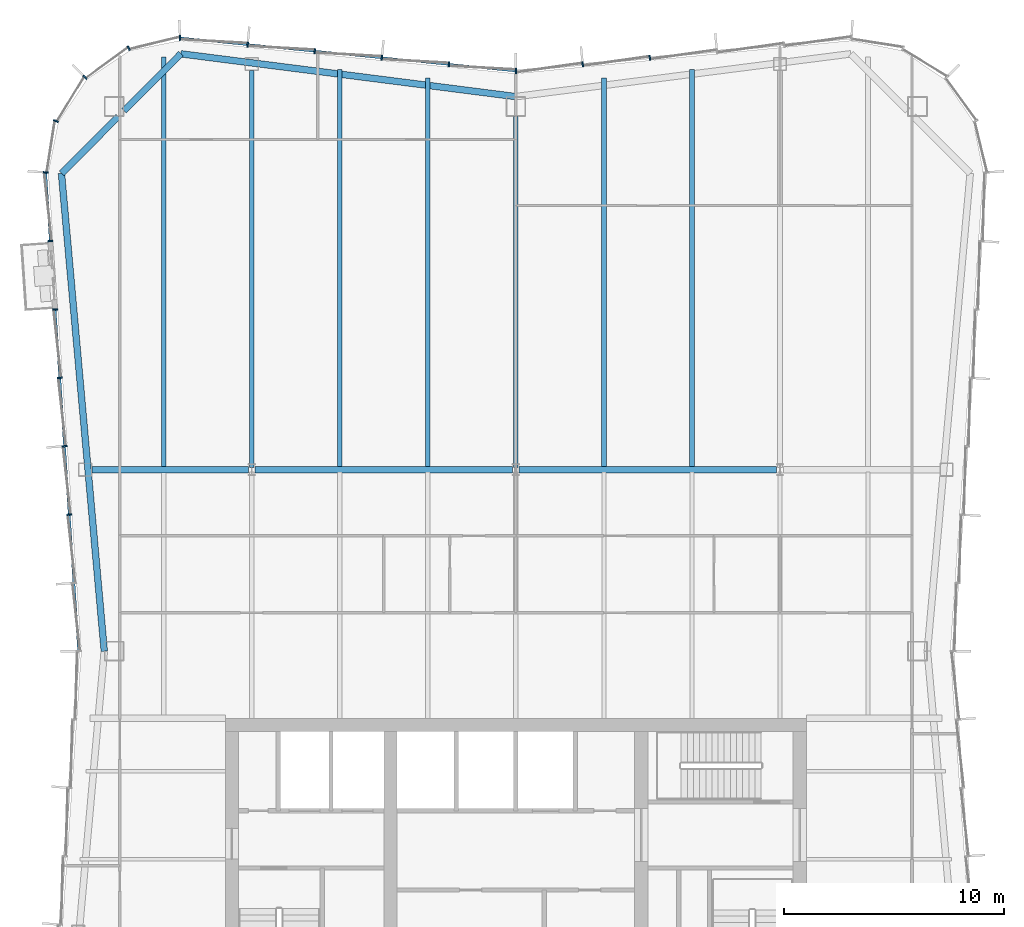
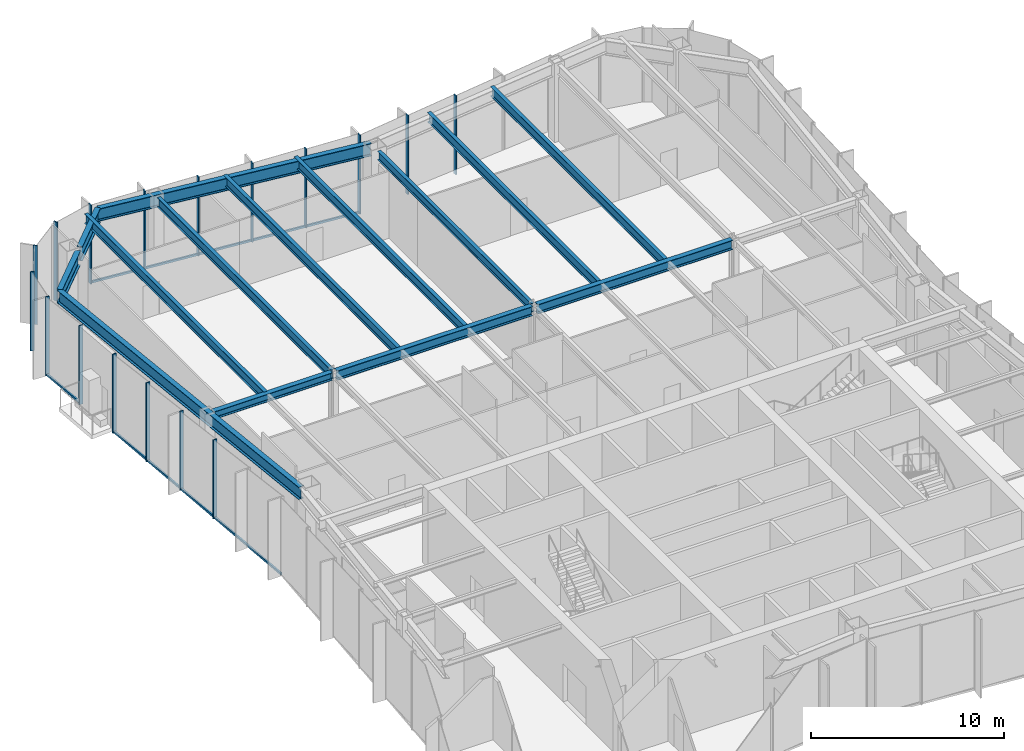
# One storey, part 6 of 14: 20 members, 14 beams, 3 elements without a shape of their own.
"""IFC4 building model written with IfcOpenShell, lengths in metres."""

import ifcopenshell
import ifcopenshell.guid

model = None  # the IFC model being written
_history = None  # IfcOwnerHistory: only IFC2X3 demands one
_inside = {}  # id of a spatial element -> (the spatial element, [elements in it])
_under = {}  # id of a project, library or spatial element -> (it, [spatial elements below it])
_declared = {}  # id of a project -> (the project, [libraries it declares])
_typed = {}  # id of a type object -> (the type object, [elements of that type])
_made_of = {}  # id of a material, layer set ... -> (it, [elements and type objects made of it])


def new_model(schema):
    """Start an empty IFC model of exactly this schema.

    Asked for "IFC4X3", IfcOpenShell would pick the latest addendum, in which some entities
    have other attributes; the version numbers below select the first issue.
    IFC2X3 requires an IfcOwnerHistory on every rooted entity: one is made here for all.
    """
    global model, _history
    if schema == "IFC4X3":
        model = ifcopenshell.file(schema_version=(4, 3, 0, 0))
    else:
        model = ifcopenshell.file(schema=schema)
    _inside.clear()
    _under.clear()
    _declared.clear()
    _typed.clear()
    _made_of.clear()
    _history = None
    if model.schema == "IFC2X3":
        org = make("IfcOrganization", Name="unknown")
        user = make(
            "IfcPersonAndOrganization",
            ThePerson=make("IfcPerson", FamilyName="unknown"),
            TheOrganization=org,
        )
        app = make(
            "IfcApplication",
            ApplicationDeveloper=org,
            Version="unknown",
            ApplicationFullName="unknown",
            ApplicationIdentifier="unknown",
        )
        _history = make(
            "IfcOwnerHistory",
            OwningUser=user,
            OwningApplication=app,
            ChangeAction="ADDED",
            CreationDate=0,
        )
    return model


def make(cls, **values):
    """One entity of the class cls with the attributes given. An attribute that is None is left unset."""
    return model.create_entity(
        cls, **{name: value for name, value in values.items() if value is not None}
    )


def rooted(cls, **values):
    """An entity with a GlobalId (a new one), such as an element, a storey or a relation."""
    return make(cls, GlobalId=ifcopenshell.guid.new(), OwnerHistory=_history, **values)


def si_unit(unit_type, name, prefix=None):
    """IfcSIUnit, for example si_unit("LENGTHUNIT", "METRE", prefix="MILLI")."""
    return make("IfcSIUnit", UnitType=unit_type, Prefix=prefix, Name=name)


def assignment(units):
    """IfcUnitAssignment: the units of a project."""
    return None if units is None else make("IfcUnitAssignment", Units=units)


def point(xyz):
    """IfcCartesianPoint."""
    return None if xyz is None else make("IfcCartesianPoint", Coordinates=xyz)


def direction(xyz):
    """IfcDirection."""
    return None if xyz is None else make("IfcDirection", DirectionRatios=xyz)


def frame(location, z_axis=None, x_axis=None):
    """IfcAxis2Placement3D, a coordinate frame: its origin and axes. An axis left out is left unset."""
    return make(
        "IfcAxis2Placement3D",
        Location=point(location),
        Axis=direction(z_axis),
        RefDirection=direction(x_axis),
    )


def frame_2d(location, x_axis=None):
    """IfcAxis2Placement2D, a coordinate frame in the plane: its origin and x axis."""
    return make(
        "IfcAxis2Placement2D", Location=point(location), RefDirection=direction(x_axis)
    )


def origin():
    """The frame at (0, 0, 0) with its axes left unset."""
    return frame((0.0, 0.0, 0.0))


def origin_2d():
    """The frame at (0, 0) in the plane with its x axis left unset."""
    return frame_2d((0.0, 0.0))


def place(relative_to, where):
    """IfcLocalPlacement: puts the frame where relative to a parent placement (None: the world)."""
    return make(
        "IfcLocalPlacement", PlacementRelTo=relative_to, RelativePlacement=where
    )


def context(
    kind, dimensions, precision=None, world=None, true_north=None, identifier=None
):
    """IfcGeometricRepresentationContext, for example the 3D "Model" context."""
    return make(
        "IfcGeometricRepresentationContext",
        ContextIdentifier=identifier,
        ContextType=kind,
        CoordinateSpaceDimension=dimensions,
        Precision=precision,
        WorldCoordinateSystem=world,
        TrueNorth=true_north,
    )


def subcontext(parent, identifier, kind, view, scale=None):
    """IfcGeometricRepresentationSubContext, for example "Body" below "Model"."""
    return make(
        "IfcGeometricRepresentationSubContext",
        ContextIdentifier=identifier,
        ContextType=kind,
        ParentContext=parent,
        TargetScale=scale,
        TargetView=view,
    )


def project(units=None, contexts=None):
    """IfcProject with its units and contexts."""
    return rooted(
        "IfcProject",
        Name="project",
        RepresentationContexts=contexts,
        UnitsInContext=assignment(units),
    )


def spatial(cls, under=None, at=None, **own):
    """A site, building, storey or space (cls), placed at a placement, below another one or the project."""
    s = rooted(cls, ObjectPlacement=at, **own)
    if under is not None:
        _under.setdefault(under.id(), (under, []))[1].append(s)
    return s


def profile(cls, at=None, kind="AREA", **sizes):
    """A parametric profile (cls). Its sizes go by their IFC names, for example OverallWidth=200.0."""
    return make(cls, ProfileType=kind, Position=at, **sizes)


def rectangle(**sizes):
    """IfcRectangleProfileDef."""
    return profile("IfcRectangleProfileDef", **sizes)


def i_section(**sizes):
    """IfcIShapeProfileDef."""
    return profile("IfcIShapeProfileDef", **sizes)


def extrude(swept, where, along, depth):
    """IfcExtrudedAreaSolid: the profile swept, set in the frame where, extruded along a direction by depth."""
    return make(
        "IfcExtrudedAreaSolid",
        SweptArea=swept,
        Position=where,
        ExtrudedDirection=direction(along),
        Depth=depth,
    )


def shape(context_of_items, identifier, shape_type, items):
    """IfcShapeRepresentation: the items that make up one representation, for example the "Body"."""
    return make(
        "IfcShapeRepresentation",
        ContextOfItems=context_of_items,
        RepresentationIdentifier=identifier,
        RepresentationType=shape_type,
        Items=items,
    )


def material(Name=None, Category=None):
    """IfcMaterial."""
    return make("IfcMaterial", Name=Name, Category=Category)


def material_profile(
    of_material, cross_section, Name=None, Category=None, Priority=None
):
    """IfcMaterialProfile: a cross section and its material."""
    return make(
        "IfcMaterialProfile",
        Name=Name,
        Material=of_material,
        Profile=cross_section,
        Priority=Priority,
        Category=Category,
    )


def profile_set(profiles, Name=None, composite=None):
    """IfcMaterialProfileSet."""
    return make(
        "IfcMaterialProfileSet",
        Name=Name,
        MaterialProfiles=profiles,
        CompositeProfile=composite,
    )


def made_of(thing, what):
    """Note that an element or type object is made of a material, layer set ...; save() writes the relation."""
    if what is not None:
        _made_of.setdefault(what.id(), (what, []))[1].append(thing)
    return thing


def type_object(cls, material=None, **own):
    """A type object (cls), such as IfcWallType, which elements share."""
    return made_of(rooted(cls, **own), material)


def element(
    cls,
    number,
    at=None,
    inside=None,
    cuts=None,
    type_object=None,
    material=None,
    context=None,
    identifier="Body",
    shape_type=None,
    held_by="IfcProductDefinitionShape",
    body=None,
    shapes=None,
    **own,
):
    """One element of the class cls, such as IfcWall. Its Tag is "e" and its number.

    at: its placement. inside: the storey or other place that contains it. cuts: it is an
    opening in that element (IfcRelVoidsElement). A single representation is given by context,
    identifier, shape_type and body (its items); several are given by shapes. held_by: the class
    of the entity that holds the representations. save() writes the other relations.
    """
    e = rooted(cls, Tag="e%d" % number, ObjectPlacement=at, **own)
    if body is not None:
        shapes = [shape(context, identifier, shape_type, body)]
    if shapes is not None:
        e.Representation = make(held_by, Representations=shapes)
    if inside is not None:
        _inside.setdefault(inside.id(), (inside, []))[1].append(e)
    if cuts is not None:
        rooted(
            "IfcRelVoidsElement", RelatingBuildingElement=cuts, RelatedOpeningElement=e
        )
    if type_object is not None:
        _typed.setdefault(type_object.id(), (type_object, []))[1].append(e)
    return made_of(e, material)


def aggregate(whole, parts):
    """IfcRelAggregates: a whole, such as a stair, and the parts it consists of."""
    return rooted("IfcRelAggregates", RelatingObject=whole, RelatedObjects=parts)


def save(model, path):
    """Write the relations noted so far, then the file.

    IfcRelAggregates (storeys below a building ...), IfcRelContainedInSpatialStructure (elements
    in a storey), IfcRelDefinesByType, IfcRelAssociatesMaterial and IfcRelDeclares: one each for
    every whole, place, type object, material and project.
    """
    for whole, parts in _under.values():
        aggregate(whole, parts)
    for where, things in _inside.values():
        rooted(
            "IfcRelContainedInSpatialStructure",
            RelatedElements=things,
            RelatingStructure=where,
        )
    for kind, things in _typed.values():
        rooted("IfcRelDefinesByType", RelatedObjects=things, RelatingType=kind)
    for what, things in _made_of.values():
        rooted("IfcRelAssociatesMaterial", RelatedObjects=things, RelatingMaterial=what)
    for by, libraries in _declared.values():
        rooted("IfcRelDeclares", RelatingContext=by, RelatedDefinitions=libraries)
    model.write(path)


model = new_model("IFC4")

# Units and contexts
model_context = context("Model", 3, precision=1e-05, world=origin(), true_north=direction((0.0, 1.0)))
body_context = subcontext(model_context, "Body", "Model", "MODEL_VIEW")
ifc_project = project(units=[si_unit("LENGTHUNIT", "METRE"), si_unit("AREAUNIT", "SQUARE_METRE"), si_unit("VOLUMEUNIT", "CUBIC_METRE"), si_unit("PLANEANGLEUNIT", "RADIAN"), si_unit("MASSUNIT", "GRAM", prefix="KILO")], contexts=[model_context])

# Site, building, storey
site_placement = place(None, origin())
site = spatial("IfcSite", under=ifc_project, at=site_placement, CompositionType="ELEMENT")
building_placement = place(site_placement, origin())
building = spatial("IfcBuilding", under=site, at=building_placement, Name="Verdant Reach Tower", CompositionType="ELEMENT")
storey_placement = place(building_placement, frame((0.0, 0.0, 289.0)))
storey = spatial("IfcBuildingStorey", under=building, at=storey_placement, Name="L66", CompositionType="ELEMENT", Elevation=289.0)

# Curtain wall, members
ifc_material_1 = material(Name="Anodised aluminium", Category="aluminium")
curtain_wall_type = type_object("IfcCurtainWallType", Name="EN-CW SYSTEM Z5", PredefinedType="NOTDEFINED", material=ifc_material_1)
curtain_wall_1_placement = place(storey_placement, origin())
curtain_wall_1 = element("IfcCurtainWall", 1, at=curtain_wall_1_placement, inside=storey, type_object=curtain_wall_type, Name="Curtain wall north, L66", PredefinedType="NOTDEFINED")
ifc_material_profile_1 = material_profile(ifc_material_1, rectangle(XDim=0.22998046875, YDim=0.070068359375, at=origin_2d()), Name="Mullion 70x230")
ifc_profile_set_1 = profile_set([ifc_material_profile_1], Name="Anodised aluminium")
member_type_1 = type_object("IfcMemberType", Name="EN-MULLION Z5", PredefinedType="MULLION", material=ifc_profile_set_1)
member_1_placement = place(storey_placement, frame((6.088623046875, 68.21435546875, -0.35009765625), z_axis=(0.0, 0.0, 1.0), x_axis=(-0.09788826992, 0.995197410875, 0.0)))
member_1 = element("IfcMember", 2, at=member_1_placement, type_object=member_type_1, Name="Mullion north face part 1 4, L66", PredefinedType="MULLION", context=body_context, shape_type="SweptSolid", body=[
    extrude(rectangle(XDim=0.22998046875, YDim=0.070068359375, at=origin_2d()), origin(), (0.0, 0.0, 1.0), 5.0),
])
member_2_placement = place(storey_placement, frame((3.038818359375, 67.91455078125, -0.35009765625), z_axis=(0.0, 0.0, 1.0), x_axis=(-0.09788826992, 0.995197410875, 0.0)))
member_2 = element("IfcMember", 3, at=member_2_placement, type_object=member_type_1, Name="Mullion north face part 1 5, L66", PredefinedType="MULLION", context=body_context, shape_type="SweptSolid", body=[
    extrude(rectangle(XDim=0.22998046875, YDim=0.070068359375, at=origin_2d()), origin(), (0.0, 0.0, 1.0), 5.0),
])
member_3_placement = place(storey_placement, frame((0.0, 67.614990234375, -0.35009765625), z_axis=(0.0, 0.0, 1.0), x_axis=(0.0, 1.0, 0.0)))
member_3 = element("IfcMember", 4, at=member_3_placement, type_object=member_type_1, Name="Mullion north face part 2 1, L66", PredefinedType="MULLION", context=body_context, shape_type="SweptSolid", body=[
    extrude(rectangle(XDim=0.22998046875, YDim=0.070068359375, at=origin_2d()), origin(), (0.0, 0.0, 1.0), 5.0),
])
member_4_placement = place(storey_placement, frame((-3.038818359375, 67.91455078125, -0.35009765625), z_axis=(0.0, 0.0, 1.0), x_axis=(0.09788826992, 0.995197410875, 0.0)))
member_4 = element("IfcMember", 5, at=member_4_placement, type_object=member_type_1, Name="Mullion north face part 2 2, L66", PredefinedType="MULLION", context=body_context, shape_type="SweptSolid", body=[
    extrude(rectangle(XDim=0.22998046875, YDim=0.070068359375, at=origin_2d()), origin(), (0.0, 0.0, 1.0), 5.0),
])
member_5_placement = place(storey_placement, frame((-6.088623046875, 68.21435546875, -0.35009765625), z_axis=(0.0, 0.0, 1.0), x_axis=(0.09788826992, 0.995197410875, 0.0)))
member_5 = element("IfcMember", 6, at=member_5_placement, type_object=member_type_1, Name="Mullion north face part 2 3, L66", PredefinedType="MULLION", context=body_context, shape_type="SweptSolid", body=[
    extrude(rectangle(XDim=0.22998046875, YDim=0.070068359375, at=origin_2d()), origin(), (0.0, 0.0, 1.0), 5.0),
])
member_6_placement = place(storey_placement, frame((-9.138671875, 68.514404296875, -0.35009765625), z_axis=(0.0, 0.0, 1.0), x_axis=(0.09788826992, 0.995197410875, 0.0)))
member_6 = element("IfcMember", 7, at=member_6_placement, type_object=member_type_1, Name="Mullion north face part 2 4, L66", PredefinedType="MULLION", context=body_context, shape_type="SweptSolid", body=[
    extrude(rectangle(XDim=0.22998046875, YDim=0.070068359375, at=origin_2d()), origin(), (0.0, 0.0, 1.0), 5.0),
])
member_7_placement = place(storey_placement, frame((-12.188720703125, 68.814453125, -0.35009765625), z_axis=(0.0, 0.0, 1.0), x_axis=(0.09788826992, 0.995197410875, 0.0)))
member_7 = element("IfcMember", 8, at=member_7_placement, type_object=member_type_1, Name="Mullion north face part 2 5, L66", PredefinedType="MULLION", context=body_context, shape_type="SweptSolid", body=[
    extrude(rectangle(XDim=0.22998046875, YDim=0.070068359375, at=origin_2d()), origin(), (0.0, 0.0, 1.0), 5.0),
])

curtain_wall_2_placement = place(storey_placement, origin())
curtain_wall_2 = element("IfcCurtainWall", 9, at=curtain_wall_2_placement, inside=storey, type_object=curtain_wall_type, Name="Curtain wall north-west corner, L66", PredefinedType="NOTDEFINED")
member_8_placement = place(storey_placement, frame((-15.255615234375, 69.11474609375, -0.35009765625), z_axis=(0.0, 0.0, 1.0), x_axis=(-0.049127596288, 0.998792510626, 0.0)))
member_8 = element("IfcMember", 10, at=member_8_placement, type_object=member_type_1, Name="Mullion north-west corner 1, L66", PredefinedType="MULLION", context=body_context, shape_type="SweptSolid", body=[
    extrude(rectangle(XDim=0.22998046875, YDim=0.070068359375, at=origin_2d()), origin(), (0.0, 0.0, 1.0), 5.0),
])
member_9_placement = place(storey_placement, frame((-17.590087890625, 68.649658203125, -0.35009765625), z_axis=(0.0, 0.0, 1.0), x_axis=(-0.382693853776, 0.923875215753, 0.0)))
member_9 = element("IfcMember", 11, at=member_9_placement, type_object=member_type_1, Name="Mullion north-west corner 2, L66", PredefinedType="MULLION", context=body_context, shape_type="SweptSolid", body=[
    extrude(rectangle(XDim=0.22998046875, YDim=0.070068359375, at=origin_2d()), origin(), (0.0, 0.0, 1.0), 5.0),
])
member_10_placement = place(storey_placement, frame((-19.573974609375, 67.323974609375, -0.35009765625), z_axis=(0.0, 0.0, 1.0), x_axis=(-0.707106781187, 0.707106781187, 0.0)))
member_10 = element("IfcMember", 12, at=member_10_placement, type_object=member_type_1, Name="Mullion north-west corner 3, L66", PredefinedType="MULLION", context=body_context, shape_type="SweptSolid", body=[
    extrude(rectangle(XDim=0.22998046875, YDim=0.070068359375, at=origin_2d()), origin(), (0.0, 0.0, 1.0), 5.0),
])
member_11_placement = place(storey_placement, frame((-20.899658203125, 65.340087890625, -0.35009765625), z_axis=(0.0, 0.0, 1.0), x_axis=(-0.923875215753, 0.382693853776, 0.0)))
member_11 = element("IfcMember", 13, at=member_11_placement, type_object=member_type_1, Name="Mullion north-west corner 4, L66", PredefinedType="MULLION", context=body_context, shape_type="SweptSolid", body=[
    extrude(rectangle(XDim=0.22998046875, YDim=0.070068359375, at=origin_2d()), origin(), (0.0, 0.0, 1.0), 5.0),
])
aggregate(curtain_wall_2, [member_8, member_9, member_10, member_11])

curtain_wall_3_placement = place(storey_placement, origin())
curtain_wall_3 = element("IfcCurtainWall", 14, at=curtain_wall_3_placement, inside=storey, type_object=curtain_wall_type, Name="Curtain wall west, L66", PredefinedType="NOTDEFINED")
member_12_placement = place(storey_placement, frame((-21.36474609375, 63.00732421875, -0.35009765625), z_axis=(0.0, 0.0, 1.0), x_axis=(-0.997969180898, 0.063698618332, 0.0)))
member_12 = element("IfcMember", 15, at=member_12_placement, type_object=member_type_1, Name="Mullion west face part 1 1, L66", PredefinedType="MULLION", context=body_context, shape_type="SweptSolid", body=[
    extrude(rectangle(XDim=0.22998046875, YDim=0.070068359375, at=origin_2d()), origin(), (0.0, 0.0, 1.0), 5.0),
])
member_13_placement = place(storey_placement, frame((-21.150390625, 59.885009765625, -0.35009765625), z_axis=(0.0, 0.0, 1.0), x_axis=(-0.997630328423, -0.068802091615, 0.0)))
member_13 = element("IfcMember", 16, at=member_13_placement, type_object=member_type_1, Name="Mullion west face part 1 2, L66", PredefinedType="MULLION", context=body_context, shape_type="SweptSolid", body=[
    extrude(rectangle(XDim=0.22998046875, YDim=0.070068359375, at=origin_2d()), origin(), (0.0, 0.0, 1.0), 5.0),
])
member_14_placement = place(storey_placement, frame((-20.93603515625, 56.77783203125, -0.35009765625), z_axis=(0.0, 0.0, 1.0), x_axis=(-0.997630328423, -0.068802091615, 0.0)))
member_14 = element("IfcMember", 17, at=member_14_placement, type_object=member_type_1, Name="Mullion west face part 1 3, L66", PredefinedType="MULLION", context=body_context, shape_type="SweptSolid", body=[
    extrude(rectangle(XDim=0.22998046875, YDim=0.070068359375, at=origin_2d()), origin(), (0.0, 0.0, 1.0), 5.0),
])
member_15_placement = place(storey_placement, frame((-20.721923828125, 53.670654296875, -0.35009765625), z_axis=(0.0, 0.0, 1.0), x_axis=(-0.997630328423, -0.068802091615, 0.0)))
member_15 = element("IfcMember", 18, at=member_15_placement, type_object=member_type_1, Name="Mullion west face part 1 4, L66", PredefinedType="MULLION", context=body_context, shape_type="SweptSolid", body=[
    extrude(rectangle(XDim=0.22998046875, YDim=0.070068359375, at=origin_2d()), origin(), (0.0, 0.0, 1.0), 5.0),
])
member_16_placement = place(storey_placement, frame((-20.507568359375, 50.5634765625, -0.35009765625), z_axis=(0.0, 0.0, 1.0), x_axis=(-0.997630328423, -0.068802091615, 0.0)))
member_16 = element("IfcMember", 19, at=member_16_placement, type_object=member_type_1, Name="Mullion west face part 1 5, L66", PredefinedType="MULLION", context=body_context, shape_type="SweptSolid", body=[
    extrude(rectangle(XDim=0.22998046875, YDim=0.070068359375, at=origin_2d()), origin(), (0.0, 0.0, 1.0), 5.0),
])
member_17_placement = place(storey_placement, frame((-20.293212890625, 47.456298828125, -0.35009765625), z_axis=(0.0, 0.0, 1.0), x_axis=(-0.997630328423, -0.068802091615, 0.0)))
member_17 = element("IfcMember", 20, at=member_17_placement, type_object=member_type_1, Name="Mullion west face part 1 6, L66", PredefinedType="MULLION", context=body_context, shape_type="SweptSolid", body=[
    extrude(rectangle(XDim=0.22998046875, YDim=0.070068359375, at=origin_2d()), origin(), (0.0, 0.0, 1.0), 5.0),
])

# Member
ifc_material_profile_2 = material_profile(ifc_material_1, rectangle(XDim=0.10009765625, YDim=0.1298828125, at=origin_2d()), Name="Transom 130x100")
ifc_profile_set_2 = profile_set([ifc_material_profile_2], Name="Anodised aluminium")
member_type_2 = type_object("IfcMemberType", Name="EN-TRANSOM Z5", PredefinedType="USERDEFINED", material=ifc_profile_set_2)
member_18_placement = place(storey_placement, frame((-0.034912109375, 67.618408203125, -0.284912109375), z_axis=(-0.99520229006, 0.097838652171, 0.0), x_axis=(-0.097838652171, -0.99520229006, 0.0)))
member_18 = element("IfcMember", 21, at=member_18_placement, type_object=member_type_2, Name="Transom north face part 2 1.1, L66", ObjectType="TRANSOM", PredefinedType="USERDEFINED", context=body_context, shape_type="SweptSolid", body=[
    extrude(rectangle(XDim=0.10009765625, YDim=0.1298828125, at=origin_2d()), origin(), (0.0, 0.0, 1.0), 15.259033203125),
])

aggregate(curtain_wall_1, [member_1, member_2, member_3, member_4, member_5, member_6, member_7, member_18])

member_19_placement = place(storey_placement, frame((-21.3623046875, 62.972412109375, -0.284912109375), z_axis=(0.068462518223, -0.997653689212, 0.0), x_axis=(0.997653689212, 0.068462518223, 0.0)))
member_19 = element("IfcMember", 22, at=member_19_placement, type_object=member_type_2, Name="Transom west face part 1 1.1, L66", ObjectType="TRANSOM", PredefinedType="USERDEFINED", context=body_context, shape_type="SweptSolid", body=[
    extrude(rectangle(XDim=0.10009765625, YDim=0.1298828125, at=origin_2d()), origin(), (0.0, 0.0, 1.0), 3.0595703125),
])

member_20_placement = place(storey_placement, frame((-20.933837890625, 56.742919921875, -0.284912109375), z_axis=(0.068823721613, -0.997628836463, 0.0), x_axis=(0.997628836463, 0.068823721613, 0.0)))
member_20 = element("IfcMember", 23, at=member_20_placement, type_object=member_type_2, Name="Transom west face part 1 2.1, L66", ObjectType="TRANSOM", PredefinedType="USERDEFINED", context=body_context, shape_type="SweptSolid", body=[
    extrude(rectangle(XDim=0.10009765625, YDim=0.1298828125, at=origin_2d()), origin(), (0.0, 0.0, 1.0), 15.49462890625),
])

aggregate(curtain_wall_3, [member_12, member_13, member_14, member_15, member_16, member_17, member_19, member_20])

# Beams
ifc_material_2 = material(Name="Steel S355", Category="steel")
ifc_material_profile_3 = material_profile(ifc_material_2, i_section(OverallWidth=0.300048828125, OverallDepth=0.489990234375, WebThickness=0.011962890625, FlangeThickness=0.02294921875, FilletRadius=0.027099609375, at=origin_2d()), Name="HEA 500")
ifc_profile_set_3 = profile_set([ifc_material_profile_3], Name="Steel S355")
beam_type_1 = type_object("IfcBeamType", Name="ST-BEAM-HEA500", PredefinedType="BEAM", material=ifc_profile_set_3)
beam_1_placement = place(storey_placement, frame((-19.26904296875, 49.5, 4.625), z_axis=(1.0, 0.0, 0.0), x_axis=(0.0, 1.0, 0.0)))
element("IfcBeam", 24, at=beam_1_placement, inside=storey, type_object=beam_type_1, Name="Row girder, L66", PredefinedType="BEAM", context=body_context, shape_type="SweptSolid", body=[
    extrude(i_section(OverallWidth=0.300048828125, OverallDepth=0.489990234375, WebThickness=0.011962890625, FlangeThickness=0.02294921875, FilletRadius=0.027099609375, at=origin_2d()), origin(), (0.0, 0.0, 1.0), 7.115966796875),
])
ifc_material_profile_4 = material_profile(ifc_material_2, i_section(OverallWidth=0.300048828125, OverallDepth=0.60009765625, WebThickness=0.015380859375, FlangeThickness=0.030029296875, FilletRadius=0.027099609375, at=origin_2d()), Name="HEB 600")
ifc_profile_set_4 = profile_set([ifc_material_profile_4], Name="Steel S355")
beam_type_2 = type_object("IfcBeamType", Name="ST-BEAM-HEB600", PredefinedType="BEAM", material=ifc_profile_set_4)
for number, where, z_axis, x_axis, name in (
    (25, (-11.846923828125, 49.5, 4.570068359375), (1.0, 0.0, 0.0), (0.0, 1.0, 0.0), "Row girder, L66"),
    (26, (0.153076171875, 49.5, 4.570068359375), (1.0, 0.0, 0.0), (0.0, 1.0, 0.0), "Row girder, L66"),
):
    element("IfcBeam", number, at=place(storey_placement, frame(where, z_axis=z_axis, x_axis=x_axis)), inside=storey, type_object=beam_type_2, Name=name, PredefinedType="BEAM", context=body_context, shape_type="SweptSolid", body=[
        extrude(i_section(OverallWidth=0.300048828125, OverallDepth=0.60009765625, WebThickness=0.015380859375, FlangeThickness=0.030029296875, FilletRadius=0.027099609375, at=origin_2d()), origin(), (0.0, 0.0, 1.0), 11.69384765625),
    ])
ifc_material_profile_5 = material_profile(ifc_material_2, i_section(OverallWidth=0.2099609375, OverallDepth=0.550048828125, WebThickness=0.010986328125, FlangeThickness=0.01708984375, FilletRadius=0.02392578125, at=origin_2d()), Name="IPE 550")
ifc_profile_set_5 = profile_set([ifc_material_profile_5], Name="Steel S355")
beam_type_3 = type_object("IfcBeamType", Name="ST-JOIST-IPE550", PredefinedType="JOIST", material=ifc_profile_set_5)
beam_2_placement = place(storey_placement, frame((0.0, 49.60009765625, 4.594970703125), z_axis=(0.0, 1.0, 0.0), x_axis=(-1.0, 0.0, 0.0)))
element("IfcBeam", 27, at=beam_2_placement, inside=storey, type_object=beam_type_3, Name="Floor joist, L66", PredefinedType="JOIST", context=body_context, shape_type="SweptSolid", body=[
    extrude(i_section(OverallWidth=0.2099609375, OverallDepth=0.550048828125, WebThickness=0.010986328125, FlangeThickness=0.01708984375, FilletRadius=0.02392578125, at=origin_2d()), origin(), (0.0, 0.0, 1.0), 15.949951171875),
])
ifc_material_profile_6 = material_profile(ifc_material_2, i_section(OverallWidth=0.219970703125, OverallDepth=0.60009765625, WebThickness=0.011962890625, FlangeThickness=0.01904296875, FilletRadius=0.02392578125, at=origin_2d()), Name="IPE 600")
ifc_profile_set_6 = profile_set([ifc_material_profile_6], Name="Steel S355")
beam_type_4 = type_object("IfcBeamType", Name="ST-JOIST-IPE600", PredefinedType="JOIST", material=ifc_profile_set_6)
beam_3_placement = place(storey_placement, frame((-16.0, 49.60009765625, 4.570068359375), z_axis=(0.0, 1.0, 0.0), x_axis=(-1.0, 0.0, 0.0)))
element("IfcBeam", 28, at=beam_3_placement, inside=storey, type_object=beam_type_4, Name="Floor joist, L66", PredefinedType="JOIST", context=body_context, shape_type="SweptSolid", body=[
    extrude(i_section(OverallWidth=0.219970703125, OverallDepth=0.60009765625, WebThickness=0.011962890625, FlangeThickness=0.01904296875, FilletRadius=0.02392578125, at=origin_2d()), origin(), (0.0, 0.0, 1.0), 18.638916015625),
])
beam_4_placement = place(storey_placement, frame((-12.0, 49.60009765625, 4.570068359375), z_axis=(0.0, 1.0, 0.0), x_axis=(-1.0, 0.0, 0.0)))
element("IfcBeam", 29, at=beam_4_placement, inside=storey, type_object=beam_type_4, Name="Floor joist, L66", PredefinedType="JOIST", context=body_context, shape_type="SweptSolid", body=[
    extrude(i_section(OverallWidth=0.219970703125, OverallDepth=0.60009765625, WebThickness=0.011962890625, FlangeThickness=0.01904296875, FilletRadius=0.02392578125, at=origin_2d()), origin(), (0.0, 0.0, 1.0), 18.0302734375),
])
beam_5_placement = place(storey_placement, frame((-8.0, 49.60009765625, 4.570068359375), z_axis=(0.0, 1.0, 0.0), x_axis=(-1.0, 0.0, 0.0)))
element("IfcBeam", 30, at=beam_5_placement, inside=storey, type_object=beam_type_4, Name="Floor joist, L66", PredefinedType="JOIST", context=body_context, shape_type="SweptSolid", body=[
    extrude(i_section(OverallWidth=0.219970703125, OverallDepth=0.60009765625, WebThickness=0.011962890625, FlangeThickness=0.01904296875, FilletRadius=0.02392578125, at=origin_2d()), origin(), (0.0, 0.0, 1.0), 18.083984375),
])
for number, where, z_axis, x_axis, name in (
    (31, (-4.0, 49.60009765625, 4.570068359375), (0.0, 1.0, 0.0), (-1.0, 0.0, 0.0), "Floor joist, L66"),
    (32, (4.0, 49.60009765625, 4.570068359375), (0.0, 1.0, 0.0), (-1.0, 0.0, 0.0), "Floor joist, L66"),
):
    element("IfcBeam", number, at=place(storey_placement, frame(where, z_axis=z_axis, x_axis=x_axis)), inside=storey, type_object=beam_type_4, Name=name, PredefinedType="JOIST", context=body_context, shape_type="SweptSolid", body=[
        extrude(i_section(OverallWidth=0.219970703125, OverallDepth=0.60009765625, WebThickness=0.011962890625, FlangeThickness=0.01904296875, FilletRadius=0.02392578125, at=origin_2d()), origin(), (0.0, 0.0, 1.0), 17.6904296875),
    ])
beam_6_placement = place(storey_placement, frame((8.0, 49.60009765625, 4.570068359375), z_axis=(0.0, 1.0, 0.0), x_axis=(-1.0, 0.0, 0.0)))
element("IfcBeam", 33, at=beam_6_placement, inside=storey, type_object=beam_type_4, Name="Floor joist, L66", PredefinedType="JOIST", context=body_context, shape_type="SweptSolid", body=[
    extrude(i_section(OverallWidth=0.219970703125, OverallDepth=0.60009765625, WebThickness=0.011962890625, FlangeThickness=0.01904296875, FilletRadius=0.02392578125, at=origin_2d()), origin(), (0.0, 0.0, 1.0), 18.083984375),
])
ifc_material_profile_7 = material_profile(ifc_material_2, i_section(OverallWidth=0.300048828125, OverallDepth=0.800048828125, WebThickness=0.017578125, FlangeThickness=0.032958984375, FilletRadius=0.030029296875, at=origin_2d()), Name="HEB 800")
ifc_profile_set_7 = profile_set([ifc_material_profile_7], Name="Steel S355")
beam_type_5 = type_object("IfcBeamType", Name="ST-SPANDREL-HEB800", PredefinedType="SPANDREL", material=ifc_profile_set_7)
beam_7_placement = place(storey_placement, frame((-18.699951171875, 41.25, 4.469970703125), z_axis=(-0.089274399498, 0.996007069048, 0.0), x_axis=(-0.996007069048, -0.089274399498, 0.0)))
element("IfcBeam", 34, at=beam_7_placement, inside=storey, type_object=beam_type_5, Name="Edge beam, L66", PredefinedType="SPANDREL", context=body_context, shape_type="SweptSolid", body=[
    extrude(i_section(OverallWidth=0.300048828125, OverallDepth=0.800048828125, WebThickness=0.017578125, FlangeThickness=0.032958984375, FilletRadius=0.030029296875, at=origin_2d()), origin(), (0.0, 0.0, 1.0), 21.798583984375),
])
beam_8_placement = place(storey_placement, frame((-15.22021484375, 68.394287109375, 4.469970703125), z_axis=(0.991938889669, -0.126717162063, 0.0), x_axis=(0.126717162063, 0.991938889669, 0.0)))
element("IfcBeam", 35, at=beam_8_placement, inside=storey, type_object=beam_type_5, Name="Edge beam, L66", PredefinedType="SPANDREL", context=body_context, shape_type="SweptSolid", body=[
    extrude(i_section(OverallWidth=0.300048828125, OverallDepth=0.800048828125, WebThickness=0.017578125, FlangeThickness=0.032958984375, FilletRadius=0.030029296875, at=origin_2d()), origin(), (0.0, 0.0, 1.0), 15.343994140625),
])
ifc_material_profile_8 = material_profile(ifc_material_2, i_section(OverallWidth=0.302001953125, OverallDepth=0.909912109375, WebThickness=0.02099609375, FlangeThickness=0.0400390625, FilletRadius=0.030029296875, at=origin_2d()), Name="HEM 900")
ifc_profile_set_8 = profile_set([ifc_material_profile_8], Name="Steel S355")
beam_type_6 = type_object("IfcBeamType", Name="ST-SPANDREL-HEM900", PredefinedType="SPANDREL", material=ifc_profile_set_8)
beam_9_placement = place(storey_placement, frame((-20.64599609375, 62.96142578125, 4.4150390625), z_axis=(0.706639493403, 0.707573760369, 0.0), x_axis=(-0.707573760369, 0.706639493403, 0.0)))
element("IfcBeam", 36, at=beam_9_placement, inside=storey, type_object=beam_type_6, Name="Edge beam, L66", PredefinedType="SPANDREL", context=body_context, shape_type="SweptSolid", body=[
    extrude(i_section(OverallWidth=0.302001953125, OverallDepth=0.909912109375, WebThickness=0.02099609375, FlangeThickness=0.0400390625, FilletRadius=0.030029296875, at=origin_2d()), origin(), (0.0, 0.0, 1.0), 3.658447265625),
])
beam_10_placement = place(storey_placement, frame((-17.800048828125, 65.81103515625, 4.4150390625), z_axis=(0.706638520854, 0.707574731632, 0.0), x_axis=(-0.707574731632, 0.706638520854, 0.0)))
element("IfcBeam", 37, at=beam_10_placement, inside=storey, type_object=beam_type_6, Name="Edge beam, L66", PredefinedType="SPANDREL", context=body_context, shape_type="SweptSolid", body=[
    extrude(i_section(OverallWidth=0.302001953125, OverallDepth=0.909912109375, WebThickness=0.02099609375, FlangeThickness=0.0400390625, FilletRadius=0.030029296875, at=origin_2d()), origin(), (0.0, 0.0, 1.0), 3.65087890625),
])

save(model, "model.ifc")
